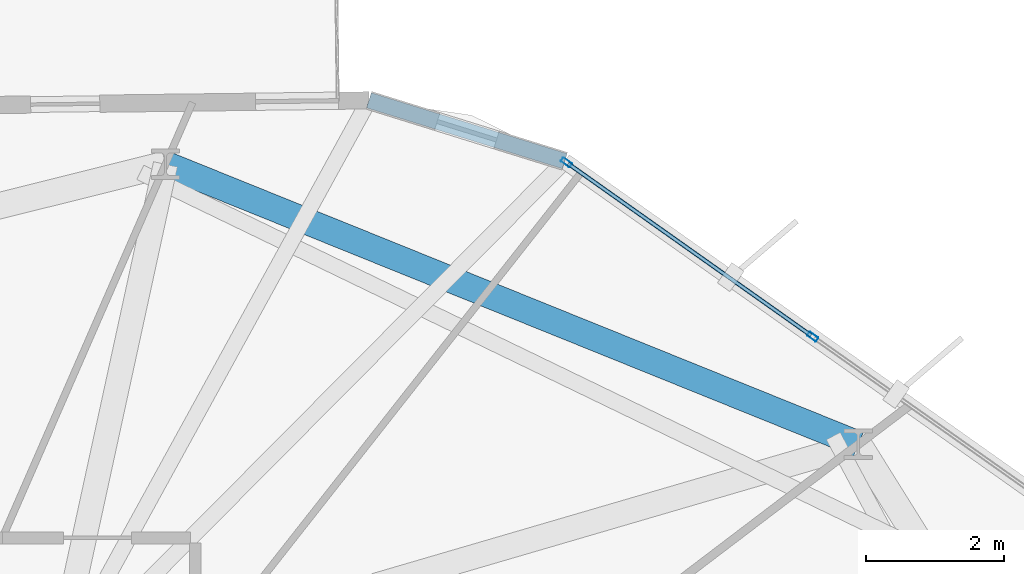
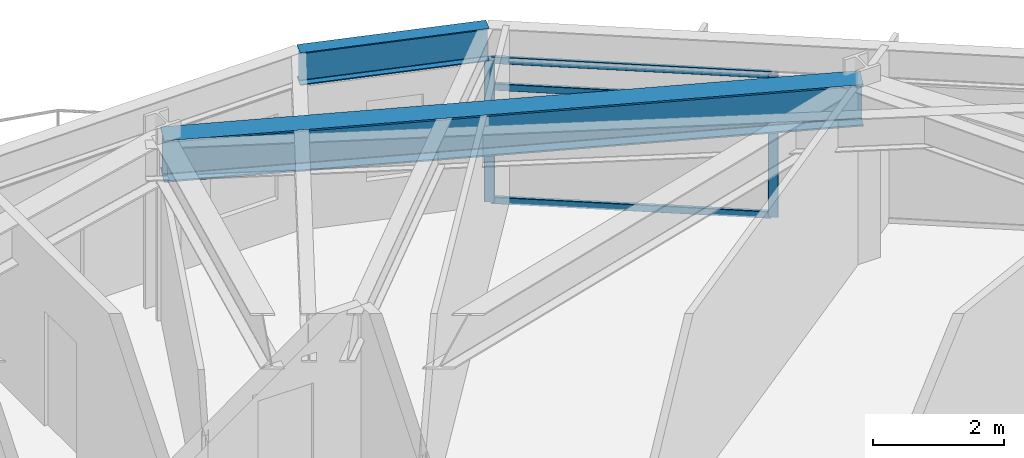
# One storey, part 18 of 27: 5 members, 2 beams, 1 element without a shape of its own.
"""IFC4 building model written with IfcOpenShell, lengths in metres."""

import ifcopenshell
import ifcopenshell.guid

model = None  # the IFC model being written
_history = None  # IfcOwnerHistory: only IFC2X3 demands one
_inside = {}  # id of a spatial element -> (the spatial element, [elements in it])
_under = {}  # id of a project, library or spatial element -> (it, [spatial elements below it])
_declared = {}  # id of a project -> (the project, [libraries it declares])
_typed = {}  # id of a type object -> (the type object, [elements of that type])
_made_of = {}  # id of a material, layer set ... -> (it, [elements and type objects made of it])


def new_model(schema):
    """Start an empty IFC model of exactly this schema.

    Asked for "IFC4X3", IfcOpenShell would pick the latest addendum, in which some entities
    have other attributes; the version numbers below select the first issue.
    IFC2X3 requires an IfcOwnerHistory on every rooted entity: one is made here for all.
    """
    global model, _history
    if schema == "IFC4X3":
        model = ifcopenshell.file(schema_version=(4, 3, 0, 0))
    else:
        model = ifcopenshell.file(schema=schema)
    _inside.clear()
    _under.clear()
    _declared.clear()
    _typed.clear()
    _made_of.clear()
    _history = None
    if model.schema == "IFC2X3":
        org = make("IfcOrganization", Name="unknown")
        user = make(
            "IfcPersonAndOrganization",
            ThePerson=make("IfcPerson", FamilyName="unknown"),
            TheOrganization=org,
        )
        app = make(
            "IfcApplication",
            ApplicationDeveloper=org,
            Version="unknown",
            ApplicationFullName="unknown",
            ApplicationIdentifier="unknown",
        )
        _history = make(
            "IfcOwnerHistory",
            OwningUser=user,
            OwningApplication=app,
            ChangeAction="ADDED",
            CreationDate=0,
        )
    return model


def make(cls, **values):
    """One entity of the class cls with the attributes given. An attribute that is None is left unset."""
    return model.create_entity(
        cls, **{name: value for name, value in values.items() if value is not None}
    )


def rooted(cls, **values):
    """An entity with a GlobalId (a new one), such as an element, a storey or a relation."""
    return make(cls, GlobalId=ifcopenshell.guid.new(), OwnerHistory=_history, **values)


def si_unit(unit_type, name, prefix=None):
    """IfcSIUnit, for example si_unit("LENGTHUNIT", "METRE", prefix="MILLI")."""
    return make("IfcSIUnit", UnitType=unit_type, Prefix=prefix, Name=name)


def assignment(units):
    """IfcUnitAssignment: the units of a project."""
    return None if units is None else make("IfcUnitAssignment", Units=units)


def point(xyz):
    """IfcCartesianPoint."""
    return None if xyz is None else make("IfcCartesianPoint", Coordinates=xyz)


def direction(xyz):
    """IfcDirection."""
    return None if xyz is None else make("IfcDirection", DirectionRatios=xyz)


def frame(location, z_axis=None, x_axis=None):
    """IfcAxis2Placement3D, a coordinate frame: its origin and axes. An axis left out is left unset."""
    return make(
        "IfcAxis2Placement3D",
        Location=point(location),
        Axis=direction(z_axis),
        RefDirection=direction(x_axis),
    )


def frame_2d(location, x_axis=None):
    """IfcAxis2Placement2D, a coordinate frame in the plane: its origin and x axis."""
    return make(
        "IfcAxis2Placement2D", Location=point(location), RefDirection=direction(x_axis)
    )


def origin():
    """The frame at (0, 0, 0) with its axes left unset."""
    return frame((0.0, 0.0, 0.0))


def origin_2d():
    """The frame at (0, 0) in the plane with its x axis left unset."""
    return frame_2d((0.0, 0.0))


def place(relative_to, where):
    """IfcLocalPlacement: puts the frame where relative to a parent placement (None: the world)."""
    return make(
        "IfcLocalPlacement", PlacementRelTo=relative_to, RelativePlacement=where
    )


def context(
    kind, dimensions, precision=None, world=None, true_north=None, identifier=None
):
    """IfcGeometricRepresentationContext, for example the 3D "Model" context."""
    return make(
        "IfcGeometricRepresentationContext",
        ContextIdentifier=identifier,
        ContextType=kind,
        CoordinateSpaceDimension=dimensions,
        Precision=precision,
        WorldCoordinateSystem=world,
        TrueNorth=true_north,
    )


def subcontext(parent, identifier, kind, view, scale=None):
    """IfcGeometricRepresentationSubContext, for example "Body" below "Model"."""
    return make(
        "IfcGeometricRepresentationSubContext",
        ContextIdentifier=identifier,
        ContextType=kind,
        ParentContext=parent,
        TargetScale=scale,
        TargetView=view,
    )


def project(units=None, contexts=None):
    """IfcProject with its units and contexts."""
    return rooted(
        "IfcProject",
        Name="project",
        RepresentationContexts=contexts,
        UnitsInContext=assignment(units),
    )


def spatial(cls, under=None, at=None, **own):
    """A site, building, storey or space (cls), placed at a placement, below another one or the project."""
    s = rooted(cls, ObjectPlacement=at, **own)
    if under is not None:
        _under.setdefault(under.id(), (under, []))[1].append(s)
    return s


def profile(cls, at=None, kind="AREA", **sizes):
    """A parametric profile (cls). Its sizes go by their IFC names, for example OverallWidth=200.0."""
    return make(cls, ProfileType=kind, Position=at, **sizes)


def hollow_rectangle(**sizes):
    """IfcRectangleHollowProfileDef."""
    return profile("IfcRectangleHollowProfileDef", **sizes)


def i_section(**sizes):
    """IfcIShapeProfileDef."""
    return profile("IfcIShapeProfileDef", **sizes)


def extrude(swept, where, along, depth):
    """IfcExtrudedAreaSolid: the profile swept, set in the frame where, extruded along a direction by depth."""
    return make(
        "IfcExtrudedAreaSolid",
        SweptArea=swept,
        Position=where,
        ExtrudedDirection=direction(along),
        Depth=depth,
    )


def shape(context_of_items, identifier, shape_type, items):
    """IfcShapeRepresentation: the items that make up one representation, for example the "Body"."""
    return make(
        "IfcShapeRepresentation",
        ContextOfItems=context_of_items,
        RepresentationIdentifier=identifier,
        RepresentationType=shape_type,
        Items=items,
    )


def material(Name=None, Category=None):
    """IfcMaterial."""
    return make("IfcMaterial", Name=Name, Category=Category)


def layer(
    of_material, thickness, ventilated=None, Name=None, Category=None, Priority=None
):
    """IfcMaterialLayer: one layer of a wall or slab, of a material (None: an air gap)."""
    return make(
        "IfcMaterialLayer",
        Material=of_material,
        LayerThickness=thickness,
        IsVentilated=ventilated,
        Name=Name,
        Category=Category,
        Priority=Priority,
    )


def layer_set(layers, Name=None):
    """IfcMaterialLayerSet."""
    return make("IfcMaterialLayerSet", MaterialLayers=layers, LayerSetName=Name)


def material_profile(
    of_material, cross_section, Name=None, Category=None, Priority=None
):
    """IfcMaterialProfile: a cross section and its material."""
    return make(
        "IfcMaterialProfile",
        Name=Name,
        Material=of_material,
        Profile=cross_section,
        Priority=Priority,
        Category=Category,
    )


def profile_set(profiles, Name=None, composite=None):
    """IfcMaterialProfileSet."""
    return make(
        "IfcMaterialProfileSet",
        Name=Name,
        MaterialProfiles=profiles,
        CompositeProfile=composite,
    )


def made_of(thing, what):
    """Note that an element or type object is made of a material, layer set ...; save() writes the relation."""
    if what is not None:
        _made_of.setdefault(what.id(), (what, []))[1].append(thing)
    return thing


def type_object(cls, material=None, **own):
    """A type object (cls), such as IfcWallType, which elements share."""
    return made_of(rooted(cls, **own), material)


def element(
    cls,
    number,
    at=None,
    inside=None,
    cuts=None,
    type_object=None,
    material=None,
    context=None,
    identifier="Body",
    shape_type=None,
    held_by="IfcProductDefinitionShape",
    body=None,
    shapes=None,
    **own,
):
    """One element of the class cls, such as IfcWall. Its Tag is "e" and its number.

    at: its placement. inside: the storey or other place that contains it. cuts: it is an
    opening in that element (IfcRelVoidsElement). A single representation is given by context,
    identifier, shape_type and body (its items); several are given by shapes. held_by: the class
    of the entity that holds the representations. save() writes the other relations.
    """
    e = rooted(cls, Tag="e%d" % number, ObjectPlacement=at, **own)
    if body is not None:
        shapes = [shape(context, identifier, shape_type, body)]
    if shapes is not None:
        e.Representation = make(held_by, Representations=shapes)
    if inside is not None:
        _inside.setdefault(inside.id(), (inside, []))[1].append(e)
    if cuts is not None:
        rooted(
            "IfcRelVoidsElement", RelatingBuildingElement=cuts, RelatedOpeningElement=e
        )
    if type_object is not None:
        _typed.setdefault(type_object.id(), (type_object, []))[1].append(e)
    return made_of(e, material)


def aggregate(whole, parts):
    """IfcRelAggregates: a whole, such as a stair, and the parts it consists of."""
    return rooted("IfcRelAggregates", RelatingObject=whole, RelatedObjects=parts)


def save(model, path):
    """Write the relations noted so far, then the file.

    IfcRelAggregates (storeys below a building ...), IfcRelContainedInSpatialStructure (elements
    in a storey), IfcRelDefinesByType, IfcRelAssociatesMaterial and IfcRelDeclares: one each for
    every whole, place, type object, material and project.
    """
    for whole, parts in _under.values():
        aggregate(whole, parts)
    for where, things in _inside.values():
        rooted(
            "IfcRelContainedInSpatialStructure",
            RelatedElements=things,
            RelatingStructure=where,
        )
    for kind, things in _typed.values():
        rooted("IfcRelDefinesByType", RelatedObjects=things, RelatingType=kind)
    for what, things in _made_of.values():
        rooted("IfcRelAssociatesMaterial", RelatedObjects=things, RelatingMaterial=what)
    for by, libraries in _declared.values():
        rooted("IfcRelDeclares", RelatingContext=by, RelatedDefinitions=libraries)
    model.write(path)


model = new_model("IFC4")

# Units and contexts
model_context = context("Model", 3, precision=1e-05, world=origin(), true_north=direction((0.0, 1.0)))
body_context = subcontext(model_context, "Body", "Model", "MODEL_VIEW")
ifc_project = project(units=[si_unit("LENGTHUNIT", "METRE"), si_unit("AREAUNIT", "SQUARE_METRE"), si_unit("VOLUMEUNIT", "CUBIC_METRE"), si_unit("PLANEANGLEUNIT", "RADIAN"), si_unit("MASSUNIT", "GRAM", prefix="KILO")], contexts=[model_context])

# Site, building, storey
site_placement = place(None, origin())
site = spatial("IfcSite", under=ifc_project, at=site_placement, CompositionType="ELEMENT")
building_placement = place(site_placement, origin())
building = spatial("IfcBuilding", under=site, at=building_placement, Name="Soratama Intermodal Tower", CompositionType="ELEMENT")
storey_placement = place(building_placement, frame((0.0, 0.0, 167.800048828125)))
storey = spatial("IfcBuildingStorey", under=building, at=storey_placement, Name="L41", CompositionType="ELEMENT", Elevation=167.800048828125)

# Beams
ifc_material_1 = material(Name="Structural steel ASTM A992 Grade 50", Category="steel")
ifc_material_profile_1 = material_profile(ifc_material_1, i_section(OverallWidth=0.382080078125, OverallDepth=0.779052734375, WebThickness=0.01806640625, FlangeThickness=0.030029296875, FilletRadius=0.01806640625, at=origin_2d()), Name="W30X191")
ifc_profile_set_1 = profile_set([ifc_material_profile_1], Name="Structural steel ASTM A992 Grade 50")
beam_type_1 = type_object("IfcBeamType", Name="BM-RING-W30X191", PredefinedType="BEAM", material=ifc_profile_set_1)
beam_1_placement = place(storey_placement, frame((56.2490234375, 38.406005859375, 2.910400390625), z_axis=(-0.927202491827, 0.374560461275, 0.0), x_axis=(-0.374560461275, -0.927202491827, 0.0)))
element("IfcBeam", 1, at=beam_1_placement, inside=storey, type_object=beam_type_1, Name="BM-L41-RING-02", PredefinedType="BEAM", context=body_context, shape_type="SweptSolid", body=[
    extrude(i_section(OverallWidth=0.382080078125, OverallDepth=0.779052734375, WebThickness=0.01806640625, FlangeThickness=0.030029296875, FilletRadius=0.01806640625, at=origin_2d()), origin(), (0.0, 0.0, 1.0), 10.8154296875),
])
ifc_material_2 = material(Name="Structural steel ASTM A992 Grade 50", Category="steel")
ifc_material_profile_2 = material_profile(ifc_material_2, i_section(OverallWidth=0.22900390625, OverallDepth=0.612060546875, WebThickness=0.011962890625, FlangeThickness=0.01953125, FilletRadius=0.012939453125, at=origin_2d()), Name="W24X84")
ifc_profile_set_2 = profile_set([ifc_material_profile_2], Name="Structural steel ASTM A992 Grade 50")
beam_type_2 = type_object("IfcBeamType", Name="BM-SPN-W24X84", PredefinedType="SPANDREL", material=ifc_profile_set_2)
beam_2_placement = place(storey_placement, frame((51.998046875, 42.501953125, 2.993896484375), z_axis=(-0.954883226596, 0.296981520578, 0.0), x_axis=(-0.296981520578, -0.954883226596, 0.0)))
element("IfcBeam", 2, at=beam_2_placement, inside=storey, type_object=beam_type_2, Name="BS-L41-CRN01", PredefinedType="SPANDREL", context=body_context, shape_type="SweptSolid", body=[
    extrude(i_section(OverallWidth=0.22900390625, OverallDepth=0.612060546875, WebThickness=0.011962890625, FlangeThickness=0.01953125, FilletRadius=0.012939453125, at=origin_2d()), origin(), (0.0, 0.0, 1.0), 2.966796875),
])

# Curtain wall, members
ifc_material_3 = material(Name="Double-glazed aluminium curtain wall", Category="aluminium")
ifc_layer = layer(ifc_material_3, 0.159912109375)
ifc_layer_set = layer_set([ifc_layer], Name="Double-glazed aluminium curtain wall")
curtain_wall_type = type_object("IfcCurtainWallType", Name="CW-SYS-4", PredefinedType="NOTDEFINED", material=ifc_layer_set)
curtain_wall_placement = place(storey_placement, origin())
curtain_wall = element("IfcCurtainWall", 3, at=curtain_wall_placement, inside=storey, type_object=curtain_wall_type, Name="L41 Faceted Curtain Wall F01", PredefinedType="NOTDEFINED")
ifc_material_4 = material(Name="Anodised aluminium AA 6063-T6", Category="aluminium")
ifc_material_profile_3 = material_profile(ifc_material_4, hollow_rectangle(XDim=0.070068359375, YDim=0.159912109375, WallThickness=0.0048828125, InnerFilletRadius=0.0048828125, OuterFilletRadius=0.010009765625, at=origin_2d()), Name="CWM160X70X5")
ifc_profile_set_3 = profile_set([ifc_material_profile_3], Name="Anodised aluminium AA 6063-T6")
member_type_1 = type_object("IfcMemberType", Name="MT-CWM-4", PredefinedType="MULLION", material=ifc_profile_set_3)
member_1_placement = place(storey_placement, frame((55.58642578125, 39.962646484375, 0.0), z_axis=(0.0, 0.0, 1.0), x_axis=(-0.577564383542, -0.816345137098, 0.0)))
member_1 = element("IfcMember", 4, at=member_1_placement, type_object=member_type_1, Name="CW-4 mullion 2", PredefinedType="MULLION", context=body_context, shape_type="SweptSolid", body=[
    extrude(hollow_rectangle(XDim=0.070068359375, YDim=0.159912109375, WallThickness=0.0048828125, InnerFilletRadius=0.0048828125, OuterFilletRadius=0.010009765625, at=origin_2d()), origin(), (0.0, 0.0, 1.0), 2.678955078125),
])
member_2_placement = place(storey_placement, frame((52.022216796875, 42.484375, 0.0), z_axis=(0.0, 0.0, 1.0), x_axis=(-0.577564383542, -0.816345137098, 0.0)))
member_2 = element("IfcMember", 5, at=member_2_placement, type_object=member_type_1, Name="CW-4 mullion 3", PredefinedType="MULLION", context=body_context, shape_type="SweptSolid", body=[
    extrude(hollow_rectangle(XDim=0.070068359375, YDim=0.159912109375, WallThickness=0.0048828125, InnerFilletRadius=0.0048828125, OuterFilletRadius=0.010009765625, at=origin_2d()), origin(), (0.0, 0.0, 1.0), 2.678955078125),
])
ifc_material_5 = material(Name="Anodised aluminium AA 6063-T6", Category="aluminium")
ifc_material_profile_4 = material_profile(ifc_material_5, hollow_rectangle(XDim=0.06005859375, YDim=0.1298828125, WallThickness=0.0048828125, InnerFilletRadius=0.0048828125, OuterFilletRadius=0.010009765625, at=origin_2d()), Name="CWT130X60X5")
ifc_profile_set_4 = profile_set([ifc_material_profile_4], Name="Anodised aluminium AA 6063-T6")
member_type_2 = type_object("IfcMemberType", Name="TT-CWT-2", PredefinedType="USERDEFINED", material=ifc_profile_set_4)
member_3_placement = place(storey_placement, frame((55.561767578125, 39.97998046875, 0.030029296875), z_axis=(-0.816315221198, 0.577606665163, 0.0), x_axis=(-0.577606665163, -0.816315221198, 0.0)))
member_3 = element("IfcMember", 6, at=member_3_placement, type_object=member_type_2, Name="CW-4 transom 2.1", ObjectType="TRANSOM", PredefinedType="USERDEFINED", context=body_context, shape_type="SweptSolid", body=[
    extrude(hollow_rectangle(XDim=0.06005859375, YDim=0.1298828125, WallThickness=0.0048828125, InnerFilletRadius=0.0048828125, OuterFilletRadius=0.010009765625, at=origin_2d()), origin(), (0.0, 0.0, 1.0), 4.305908203125),
])
member_4_placement = place(storey_placement, frame((55.561767578125, 39.97998046875, 2.14990234375), z_axis=(-0.816315221198, 0.577606665163, 0.0), x_axis=(-0.577606665163, -0.816315221198, 0.0)))
member_4 = element("IfcMember", 7, at=member_4_placement, type_object=member_type_2, Name="CW-4 transom 2.2", ObjectType="TRANSOM", PredefinedType="USERDEFINED", context=body_context, shape_type="SweptSolid", body=[
    extrude(hollow_rectangle(XDim=0.06005859375, YDim=0.1298828125, WallThickness=0.0048828125, InnerFilletRadius=0.0048828125, OuterFilletRadius=0.010009765625, at=origin_2d()), origin(), (0.0, 0.0, 1.0), 4.305908203125),
])
member_5_placement = place(storey_placement, frame((55.561767578125, 39.97998046875, 2.64892578125), z_axis=(-0.816315221198, 0.577606665163, 0.0), x_axis=(-0.577606665163, -0.816315221198, 0.0)))
member_5 = element("IfcMember", 8, at=member_5_placement, type_object=member_type_2, Name="CW-4 transom 2.3", ObjectType="TRANSOM", PredefinedType="USERDEFINED", context=body_context, shape_type="SweptSolid", body=[
    extrude(hollow_rectangle(XDim=0.06005859375, YDim=0.1298828125, WallThickness=0.0048828125, InnerFilletRadius=0.0048828125, OuterFilletRadius=0.010009765625, at=origin_2d()), origin(), (0.0, 0.0, 1.0), 4.305908203125),
])
aggregate(curtain_wall, [member_1, member_2, member_3, member_4, member_5])

save(model, "model.ifc")
